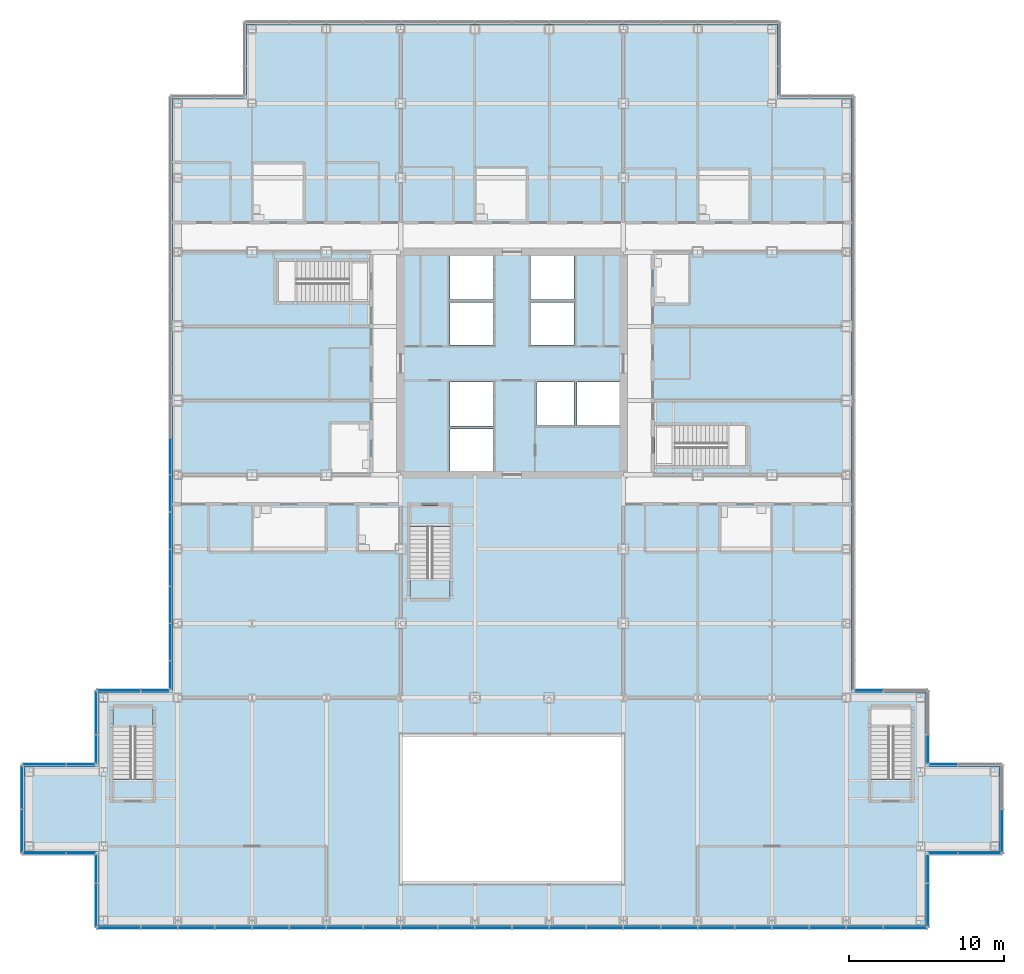
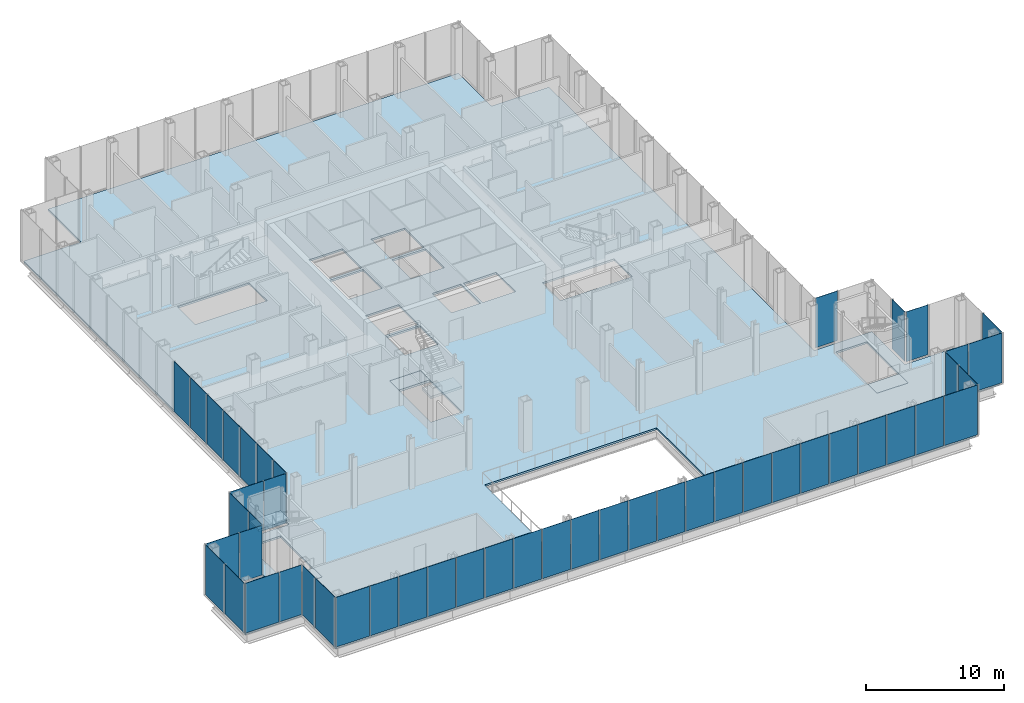
# One storey, part 17 of 25: 49 plates, 6 slabs, 17 elements without a shape of their own.
"""IFC4 building model written with IfcOpenShell, lengths in metres."""

import ifcopenshell
import ifcopenshell.guid

model = None  # the IFC model being written
_history = None  # IfcOwnerHistory: only IFC2X3 demands one
_inside = {}  # id of a spatial element -> (the spatial element, [elements in it])
_under = {}  # id of a project, library or spatial element -> (it, [spatial elements below it])
_declared = {}  # id of a project -> (the project, [libraries it declares])
_typed = {}  # id of a type object -> (the type object, [elements of that type])
_made_of = {}  # id of a material, layer set ... -> (it, [elements and type objects made of it])


def new_model(schema):
    """Start an empty IFC model of exactly this schema.

    Asked for "IFC4X3", IfcOpenShell would pick the latest addendum, in which some entities
    have other attributes; the version numbers below select the first issue.
    IFC2X3 requires an IfcOwnerHistory on every rooted entity: one is made here for all.
    """
    global model, _history
    if schema == "IFC4X3":
        model = ifcopenshell.file(schema_version=(4, 3, 0, 0))
    else:
        model = ifcopenshell.file(schema=schema)
    _inside.clear()
    _under.clear()
    _declared.clear()
    _typed.clear()
    _made_of.clear()
    _history = None
    if model.schema == "IFC2X3":
        org = make("IfcOrganization", Name="unknown")
        user = make(
            "IfcPersonAndOrganization",
            ThePerson=make("IfcPerson", FamilyName="unknown"),
            TheOrganization=org,
        )
        app = make(
            "IfcApplication",
            ApplicationDeveloper=org,
            Version="unknown",
            ApplicationFullName="unknown",
            ApplicationIdentifier="unknown",
        )
        _history = make(
            "IfcOwnerHistory",
            OwningUser=user,
            OwningApplication=app,
            ChangeAction="ADDED",
            CreationDate=0,
        )
    return model


def make(cls, **values):
    """One entity of the class cls with the attributes given. An attribute that is None is left unset."""
    return model.create_entity(
        cls, **{name: value for name, value in values.items() if value is not None}
    )


def rooted(cls, **values):
    """An entity with a GlobalId (a new one), such as an element, a storey or a relation."""
    return make(cls, GlobalId=ifcopenshell.guid.new(), OwnerHistory=_history, **values)


def si_unit(unit_type, name, prefix=None):
    """IfcSIUnit, for example si_unit("LENGTHUNIT", "METRE", prefix="MILLI")."""
    return make("IfcSIUnit", UnitType=unit_type, Prefix=prefix, Name=name)


def assignment(units):
    """IfcUnitAssignment: the units of a project."""
    return None if units is None else make("IfcUnitAssignment", Units=units)


def point(xyz):
    """IfcCartesianPoint."""
    return None if xyz is None else make("IfcCartesianPoint", Coordinates=xyz)


def direction(xyz):
    """IfcDirection."""
    return None if xyz is None else make("IfcDirection", DirectionRatios=xyz)


def frame(location, z_axis=None, x_axis=None):
    """IfcAxis2Placement3D, a coordinate frame: its origin and axes. An axis left out is left unset."""
    return make(
        "IfcAxis2Placement3D",
        Location=point(location),
        Axis=direction(z_axis),
        RefDirection=direction(x_axis),
    )


def frame_2d(location, x_axis=None):
    """IfcAxis2Placement2D, a coordinate frame in the plane: its origin and x axis."""
    return make(
        "IfcAxis2Placement2D", Location=point(location), RefDirection=direction(x_axis)
    )


def origin():
    """The frame at (0, 0, 0) with its axes left unset."""
    return frame((0.0, 0.0, 0.0))


def origin_2d():
    """The frame at (0, 0) in the plane with its x axis left unset."""
    return frame_2d((0.0, 0.0))


def place(relative_to, where):
    """IfcLocalPlacement: puts the frame where relative to a parent placement (None: the world)."""
    return make(
        "IfcLocalPlacement", PlacementRelTo=relative_to, RelativePlacement=where
    )


def context(
    kind, dimensions, precision=None, world=None, true_north=None, identifier=None
):
    """IfcGeometricRepresentationContext, for example the 3D "Model" context."""
    return make(
        "IfcGeometricRepresentationContext",
        ContextIdentifier=identifier,
        ContextType=kind,
        CoordinateSpaceDimension=dimensions,
        Precision=precision,
        WorldCoordinateSystem=world,
        TrueNorth=true_north,
    )


def subcontext(parent, identifier, kind, view, scale=None):
    """IfcGeometricRepresentationSubContext, for example "Body" below "Model"."""
    return make(
        "IfcGeometricRepresentationSubContext",
        ContextIdentifier=identifier,
        ContextType=kind,
        ParentContext=parent,
        TargetScale=scale,
        TargetView=view,
    )


def project(units=None, contexts=None):
    """IfcProject with its units and contexts."""
    return rooted(
        "IfcProject",
        Name="project",
        RepresentationContexts=contexts,
        UnitsInContext=assignment(units),
    )


def spatial(cls, under=None, at=None, **own):
    """A site, building, storey or space (cls), placed at a placement, below another one or the project."""
    s = rooted(cls, ObjectPlacement=at, **own)
    if under is not None:
        _under.setdefault(under.id(), (under, []))[1].append(s)
    return s


def polyline(points):
    """IfcPolyline through the points."""
    return make("IfcPolyline", Points=[point(p) for p in points])


def profile(cls, at=None, kind="AREA", **sizes):
    """A parametric profile (cls). Its sizes go by their IFC names, for example OverallWidth=200.0."""
    return make(cls, ProfileType=kind, Position=at, **sizes)


def rectangle(**sizes):
    """IfcRectangleProfileDef."""
    return profile("IfcRectangleProfileDef", **sizes)


def outline(outer, holes=None, kind="AREA"):
    """IfcArbitraryClosedProfileDef: a profile drawn as a closed curve; with holes, ...WithVoids."""
    if holes is None:
        return make("IfcArbitraryClosedProfileDef", ProfileType=kind, OuterCurve=outer)
    return make(
        "IfcArbitraryProfileDefWithVoids",
        ProfileType=kind,
        OuterCurve=outer,
        InnerCurves=holes,
    )


def extrude(swept, where, along, depth):
    """IfcExtrudedAreaSolid: the profile swept, set in the frame where, extruded along a direction by depth."""
    return make(
        "IfcExtrudedAreaSolid",
        SweptArea=swept,
        Position=where,
        ExtrudedDirection=direction(along),
        Depth=depth,
    )


def shape(context_of_items, identifier, shape_type, items):
    """IfcShapeRepresentation: the items that make up one representation, for example the "Body"."""
    return make(
        "IfcShapeRepresentation",
        ContextOfItems=context_of_items,
        RepresentationIdentifier=identifier,
        RepresentationType=shape_type,
        Items=items,
    )


def material(Name=None, Category=None):
    """IfcMaterial."""
    return make("IfcMaterial", Name=Name, Category=Category)


def layer(
    of_material, thickness, ventilated=None, Name=None, Category=None, Priority=None
):
    """IfcMaterialLayer: one layer of a wall or slab, of a material (None: an air gap)."""
    return make(
        "IfcMaterialLayer",
        Material=of_material,
        LayerThickness=thickness,
        IsVentilated=ventilated,
        Name=Name,
        Category=Category,
        Priority=Priority,
    )


def layer_set(layers, Name=None):
    """IfcMaterialLayerSet."""
    return make("IfcMaterialLayerSet", MaterialLayers=layers, LayerSetName=Name)


def made_of(thing, what):
    """Note that an element or type object is made of a material, layer set ...; save() writes the relation."""
    if what is not None:
        _made_of.setdefault(what.id(), (what, []))[1].append(thing)
    return thing


def type_object(cls, material=None, **own):
    """A type object (cls), such as IfcWallType, which elements share."""
    return made_of(rooted(cls, **own), material)


def element(
    cls,
    number,
    at=None,
    inside=None,
    cuts=None,
    type_object=None,
    material=None,
    context=None,
    identifier="Body",
    shape_type=None,
    held_by="IfcProductDefinitionShape",
    body=None,
    shapes=None,
    **own,
):
    """One element of the class cls, such as IfcWall. Its Tag is "e" and its number.

    at: its placement. inside: the storey or other place that contains it. cuts: it is an
    opening in that element (IfcRelVoidsElement). A single representation is given by context,
    identifier, shape_type and body (its items); several are given by shapes. held_by: the class
    of the entity that holds the representations. save() writes the other relations.
    """
    e = rooted(cls, Tag="e%d" % number, ObjectPlacement=at, **own)
    if body is not None:
        shapes = [shape(context, identifier, shape_type, body)]
    if shapes is not None:
        e.Representation = make(held_by, Representations=shapes)
    if inside is not None:
        _inside.setdefault(inside.id(), (inside, []))[1].append(e)
    if cuts is not None:
        rooted(
            "IfcRelVoidsElement", RelatingBuildingElement=cuts, RelatedOpeningElement=e
        )
    if type_object is not None:
        _typed.setdefault(type_object.id(), (type_object, []))[1].append(e)
    return made_of(e, material)


def aggregate(whole, parts):
    """IfcRelAggregates: a whole, such as a stair, and the parts it consists of."""
    return rooted("IfcRelAggregates", RelatingObject=whole, RelatedObjects=parts)


def save(model, path):
    """Write the relations noted so far, then the file.

    IfcRelAggregates (storeys below a building ...), IfcRelContainedInSpatialStructure (elements
    in a storey), IfcRelDefinesByType, IfcRelAssociatesMaterial and IfcRelDeclares: one each for
    every whole, place, type object, material and project.
    """
    for whole, parts in _under.values():
        aggregate(whole, parts)
    for where, things in _inside.values():
        rooted(
            "IfcRelContainedInSpatialStructure",
            RelatedElements=things,
            RelatingStructure=where,
        )
    for kind, things in _typed.values():
        rooted("IfcRelDefinesByType", RelatedObjects=things, RelatingType=kind)
    for what, things in _made_of.values():
        rooted("IfcRelAssociatesMaterial", RelatedObjects=things, RelatingMaterial=what)
    for by, libraries in _declared.values():
        rooted("IfcRelDeclares", RelatingContext=by, RelatedDefinitions=libraries)
    model.write(path)


model = new_model("IFC4")

# Units and contexts
model_context = context("Model", 3, precision=1e-05, world=origin(), true_north=direction((0.0, 1.0)))
body_context = subcontext(model_context, "Body", "Model", "MODEL_VIEW")
ifc_project = project(units=[si_unit("LENGTHUNIT", "METRE"), si_unit("AREAUNIT", "SQUARE_METRE"), si_unit("VOLUMEUNIT", "CUBIC_METRE"), si_unit("PLANEANGLEUNIT", "RADIAN"), si_unit("MASSUNIT", "GRAM", prefix="KILO")], contexts=[model_context])

# Site, building, storey
site_placement = place(None, origin())
site = spatial("IfcSite", under=ifc_project, at=site_placement, CompositionType="ELEMENT")
building_placement = place(site_placement, origin())
building = spatial("IfcBuilding", under=site, at=building_placement, Name="Kvirike Care Tower", CompositionType="ELEMENT")
storey_placement = place(building_placement, frame((0.0, 0.0, 13.5)))
storey = spatial("IfcBuildingStorey", under=building, at=storey_placement, Name="L03", CompositionType="ELEMENT", Elevation=13.5)

# Slab
ifc_material_1 = material(Name="Concrete C35/45", Category="concrete")
ifc_layer_1 = layer(ifc_material_1, 0.169921875)
ifc_layer_set_1 = layer_set([ifc_layer_1], Name="FLOOR SLAB 170")
slab_type_1 = type_object("IfcSlabType", Name="FLOOR SLAB 170", PredefinedType="FLOOR", material=ifc_layer_set_1)
slab_1_placement = place(storey_placement, frame((0.0, 0.0, -0.169921875)))
element("IfcSlab", 1, at=slab_1_placement, inside=storey, type_object=slab_type_1, Name="Floor slab L03", PredefinedType="FLOOR", context=body_context, shape_type="SweptSolid", body=[
    extrude(outline(polyline([(-5.14990234375, -0.35009765625), (48.35009765625, -0.35009765625), (48.35009765625, 4.449951171875), (53.14990234375, 4.449951171875), (53.14990234375, 9.949951171875), (48.35009765625, 9.949951171875), (48.35009765625, 14.75), (43.550048828125, 14.75), (43.550048828125, 53.14990234375), (38.75, 53.14990234375), (38.75, 57.949951171875), (4.449951171875, 57.949951171875), (4.449951171875, 53.14990234375), (-0.35009765625, 53.14990234375), (-0.35009765625, 14.75), (-5.14990234375, 14.75), (-5.14990234375, 9.949951171875), (-9.949951171875, 9.949951171875), (-9.949951171875, 4.449951171875), (-5.14990234375, 4.449951171875), (-5.14990234375, -0.35009765625)]), holes=[polyline([(17.60009765625, 29.050048828125), (17.60009765625, 31.75), (20.39990234375, 31.75), (20.39990234375, 29.050048828125), (17.60009765625, 29.050048828125)]), polyline([(17.60009765625, 31.949951171875), (17.60009765625, 34.800048828125), (20.39990234375, 34.800048828125), (20.39990234375, 31.949951171875), (17.60009765625, 31.949951171875)]), polyline([(17.60009765625, 37.199951171875), (17.60009765625, 39.949951171875), (20.39990234375, 39.949951171875), (20.39990234375, 37.199951171875), (17.60009765625, 37.199951171875)]), polyline([(17.60009765625, 40.14990234375), (17.60009765625, 42.949951171875), (20.39990234375, 42.949951171875), (20.39990234375, 40.14990234375), (17.60009765625, 40.14990234375)]), polyline([(22.800048828125, 37.199951171875), (22.800048828125, 39.949951171875), (25.60009765625, 39.949951171875), (25.60009765625, 37.199951171875), (22.800048828125, 37.199951171875)]), polyline([(22.800048828125, 40.14990234375), (22.800048828125, 42.949951171875), (25.60009765625, 42.949951171875), (25.60009765625, 40.14990234375), (22.800048828125, 40.14990234375)]), polyline([(23.199951171875, 32.0), (23.199951171875, 34.800048828125), (25.60009765625, 34.800048828125), (25.60009765625, 32.0), (23.199951171875, 32.0)]), polyline([(25.800048828125, 32.0), (25.800048828125, 34.800048828125), (28.550048828125, 34.800048828125), (28.550048828125, 32.0), (25.800048828125, 32.0)]), polyline([(14.39990234375, 2.39990234375), (14.39990234375, 12.0), (28.800048828125, 12.0), (28.800048828125, 2.39990234375), (14.39990234375, 2.39990234375)]), polyline([(12.39990234375, 42.60009765625), (12.39990234375, 40.0), (6.39990234375, 40.0), (6.39990234375, 42.60009765625), (12.39990234375, 42.60009765625)]), polyline([(30.800048828125, 29.39990234375), (30.800048828125, 32.0), (36.800048828125, 32.0), (36.800048828125, 29.39990234375), (30.800048828125, 29.39990234375)]), polyline([(-1.60009765625, 13.800048828125), (-1.60009765625, 7.800048828125), (-4.199951171875, 7.800048828125), (-4.199951171875, 13.800048828125), (-1.60009765625, 13.800048828125)]), polyline([(47.39990234375, 13.800048828125), (47.39990234375, 7.800048828125), (44.800048828125, 7.800048828125), (44.800048828125, 13.800048828125), (47.39990234375, 13.800048828125)]), polyline([(15.0, 26.800048828125), (17.60009765625, 26.800048828125), (17.60009765625, 20.800048828125), (15.0, 20.800048828125), (15.0, 26.800048828125)])]), origin(), (0.0, 0.0, 1.0), 0.169921875),
])

# Curtain wall, plates
ifc_material_2 = material(Name="Anodised aluminium stick system", Category="aluminium")
curtain_wall_type = type_object("IfcCurtainWallType", Name="CW-P PODIUM STICK CURTAIN WALL", PredefinedType="NOTDEFINED", material=ifc_material_2)
curtain_wall_1_placement = place(storey_placement, origin())
curtain_wall_1 = element("IfcCurtainWall", 2, at=curtain_wall_1_placement, inside=storey, type_object=curtain_wall_type, Name="Curtain wall L03 face 1", PredefinedType="NOTDEFINED")
ifc_material_3 = material(Name="Tinted double glazed unit", Category="glass")
ifc_layer_2 = layer(ifc_material_3, 0.031982421875)
ifc_layer_set_2 = layer_set([ifc_layer_2], Name="PODIUM VISION PANEL 32")
plate_type = type_object("IfcPlateType", Name="PODIUM VISION PANEL 32", PredefinedType="CURTAIN_PANEL", material=ifc_layer_set_2)
plate_1_placement = place(storey_placement, frame((-3.8212890625, -0.47509765625, 0.10009765625), z_axis=(0.0, 0.0, 1.0), x_axis=(1.0, 0.0, 0.0)))
plate_1 = element("IfcPlate", 3, at=plate_1_placement, type_object=plate_type, Name="CW-P panel L03 face 1.1", PredefinedType="CURTAIN_PANEL", context=body_context, shape_type="SweptSolid", body=[
    extrude(rectangle(XDim=2.777587890625, YDim=0.031982421875, at=origin_2d()), origin(), (0.0, 0.0, 1.0), 4.39990234375),
])
plate_2_placement = place(storey_placement, frame((-1.199951171875, -0.47509765625, 0.10009765625), z_axis=(0.0, 0.0, 1.0), x_axis=(1.0, 0.0, 0.0)))
plate_2 = element("IfcPlate", 4, at=plate_2_placement, type_object=plate_type, Name="CW-P panel L03 face 1.2", PredefinedType="CURTAIN_PANEL", context=body_context, shape_type="SweptSolid", body=[
    extrude(rectangle(XDim=2.3349609375, YDim=0.031982421875, at=origin_2d()), origin(), (0.0, 0.0, 1.0), 4.39990234375),
])
plate_3_placement = place(storey_placement, frame((1.199951171875, -0.47509765625, 0.10009765625), z_axis=(0.0, 0.0, 1.0), x_axis=(1.0, 0.0, 0.0)))
plate_3 = element("IfcPlate", 5, at=plate_3_placement, type_object=plate_type, Name="CW-P panel L03 face 1.3", PredefinedType="CURTAIN_PANEL", context=body_context, shape_type="SweptSolid", body=[
    extrude(rectangle(XDim=2.3349609375, YDim=0.031982421875, at=origin_2d()), origin(), (0.0, 0.0, 1.0), 4.39990234375),
])
plate_4_placement = place(storey_placement, frame((3.60009765625, -0.47509765625, 0.10009765625), z_axis=(0.0, 0.0, 1.0), x_axis=(1.0, 0.0, 0.0)))
plate_4 = element("IfcPlate", 6, at=plate_4_placement, type_object=plate_type, Name="CW-P panel L03 face 1.4", PredefinedType="CURTAIN_PANEL", context=body_context, shape_type="SweptSolid", body=[
    extrude(rectangle(XDim=2.3349609375, YDim=0.031982421875, at=origin_2d()), origin(), (0.0, 0.0, 1.0), 4.39990234375),
])
plate_5_placement = place(storey_placement, frame((6.0, -0.47509765625, 0.10009765625), z_axis=(0.0, 0.0, 1.0), x_axis=(1.0, 0.0, 0.0)))
plate_5 = element("IfcPlate", 7, at=plate_5_placement, type_object=plate_type, Name="CW-P panel L03 face 1.5", PredefinedType="CURTAIN_PANEL", context=body_context, shape_type="SweptSolid", body=[
    extrude(rectangle(XDim=2.3349609375, YDim=0.031982421875, at=origin_2d()), origin(), (0.0, 0.0, 1.0), 4.39990234375),
])
plate_6_placement = place(storey_placement, frame((8.39990234375, -0.47509765625, 0.10009765625), z_axis=(0.0, 0.0, 1.0), x_axis=(1.0, 0.0, 0.0)))
plate_6 = element("IfcPlate", 8, at=plate_6_placement, type_object=plate_type, Name="CW-P panel L03 face 1.6", PredefinedType="CURTAIN_PANEL", context=body_context, shape_type="SweptSolid", body=[
    extrude(rectangle(XDim=2.3349609375, YDim=0.031982421875, at=origin_2d()), origin(), (0.0, 0.0, 1.0), 4.39990234375),
])
plate_7_placement = place(storey_placement, frame((10.800048828125, -0.47509765625, 0.10009765625), z_axis=(0.0, 0.0, 1.0), x_axis=(1.0, 0.0, 0.0)))
plate_7 = element("IfcPlate", 9, at=plate_7_placement, type_object=plate_type, Name="CW-P panel L03 face 1.7", PredefinedType="CURTAIN_PANEL", context=body_context, shape_type="SweptSolid", body=[
    extrude(rectangle(XDim=2.3349609375, YDim=0.031982421875, at=origin_2d()), origin(), (0.0, 0.0, 1.0), 4.39990234375),
])
plate_8_placement = place(storey_placement, frame((13.199951171875, -0.47509765625, 0.10009765625), z_axis=(0.0, 0.0, 1.0), x_axis=(1.0, 0.0, 0.0)))
plate_8 = element("IfcPlate", 10, at=plate_8_placement, type_object=plate_type, Name="CW-P panel L03 face 1.8", PredefinedType="CURTAIN_PANEL", context=body_context, shape_type="SweptSolid", body=[
    extrude(rectangle(XDim=2.3349609375, YDim=0.031982421875, at=origin_2d()), origin(), (0.0, 0.0, 1.0), 4.39990234375),
])
plate_9_placement = place(storey_placement, frame((15.60009765625, -0.47509765625, 0.10009765625), z_axis=(0.0, 0.0, 1.0), x_axis=(1.0, 0.0, 0.0)))
plate_9 = element("IfcPlate", 11, at=plate_9_placement, type_object=plate_type, Name="CW-P panel L03 face 1.9", PredefinedType="CURTAIN_PANEL", context=body_context, shape_type="SweptSolid", body=[
    extrude(rectangle(XDim=2.3349609375, YDim=0.031982421875, at=origin_2d()), origin(), (0.0, 0.0, 1.0), 4.39990234375),
])
plate_10_placement = place(storey_placement, frame((18.0, -0.47509765625, 0.10009765625), z_axis=(0.0, 0.0, 1.0), x_axis=(1.0, 0.0, 0.0)))
plate_10 = element("IfcPlate", 12, at=plate_10_placement, type_object=plate_type, Name="CW-P panel L03 face 1.10", PredefinedType="CURTAIN_PANEL", context=body_context, shape_type="SweptSolid", body=[
    extrude(rectangle(XDim=2.3349609375, YDim=0.031982421875, at=origin_2d()), origin(), (0.0, 0.0, 1.0), 4.39990234375),
])
plate_11_placement = place(storey_placement, frame((20.39990234375, -0.47509765625, 0.10009765625), z_axis=(0.0, 0.0, 1.0), x_axis=(1.0, 0.0, 0.0)))
plate_11 = element("IfcPlate", 13, at=plate_11_placement, type_object=plate_type, Name="CW-P panel L03 face 1.11", PredefinedType="CURTAIN_PANEL", context=body_context, shape_type="SweptSolid", body=[
    extrude(rectangle(XDim=2.3349609375, YDim=0.031982421875, at=origin_2d()), origin(), (0.0, 0.0, 1.0), 4.39990234375),
])
plate_12_placement = place(storey_placement, frame((22.800048828125, -0.47509765625, 0.10009765625), z_axis=(0.0, 0.0, 1.0), x_axis=(1.0, 0.0, 0.0)))
plate_12 = element("IfcPlate", 14, at=plate_12_placement, type_object=plate_type, Name="CW-P panel L03 face 1.12", PredefinedType="CURTAIN_PANEL", context=body_context, shape_type="SweptSolid", body=[
    extrude(rectangle(XDim=2.3349609375, YDim=0.031982421875, at=origin_2d()), origin(), (0.0, 0.0, 1.0), 4.39990234375),
])
plate_13_placement = place(storey_placement, frame((25.199951171875, -0.47509765625, 0.10009765625), z_axis=(0.0, 0.0, 1.0), x_axis=(1.0, 0.0, 0.0)))
plate_13 = element("IfcPlate", 15, at=plate_13_placement, type_object=plate_type, Name="CW-P panel L03 face 1.13", PredefinedType="CURTAIN_PANEL", context=body_context, shape_type="SweptSolid", body=[
    extrude(rectangle(XDim=2.3349609375, YDim=0.031982421875, at=origin_2d()), origin(), (0.0, 0.0, 1.0), 4.39990234375),
])
plate_14_placement = place(storey_placement, frame((27.60009765625, -0.47509765625, 0.10009765625), z_axis=(0.0, 0.0, 1.0), x_axis=(1.0, 0.0, 0.0)))
plate_14 = element("IfcPlate", 16, at=plate_14_placement, type_object=plate_type, Name="CW-P panel L03 face 1.14", PredefinedType="CURTAIN_PANEL", context=body_context, shape_type="SweptSolid", body=[
    extrude(rectangle(XDim=2.3349609375, YDim=0.031982421875, at=origin_2d()), origin(), (0.0, 0.0, 1.0), 4.39990234375),
])
plate_15_placement = place(storey_placement, frame((30.0, -0.47509765625, 0.10009765625), z_axis=(0.0, 0.0, 1.0), x_axis=(1.0, 0.0, 0.0)))
plate_15 = element("IfcPlate", 17, at=plate_15_placement, type_object=plate_type, Name="CW-P panel L03 face 1.15", PredefinedType="CURTAIN_PANEL", context=body_context, shape_type="SweptSolid", body=[
    extrude(rectangle(XDim=2.3349609375, YDim=0.031982421875, at=origin_2d()), origin(), (0.0, 0.0, 1.0), 4.39990234375),
])
plate_16_placement = place(storey_placement, frame((32.39990234375, -0.47509765625, 0.10009765625), z_axis=(0.0, 0.0, 1.0), x_axis=(1.0, 0.0, 0.0)))
plate_16 = element("IfcPlate", 18, at=plate_16_placement, type_object=plate_type, Name="CW-P panel L03 face 1.16", PredefinedType="CURTAIN_PANEL", context=body_context, shape_type="SweptSolid", body=[
    extrude(rectangle(XDim=2.3349609375, YDim=0.031982421875, at=origin_2d()), origin(), (0.0, 0.0, 1.0), 4.39990234375),
])
plate_17_placement = place(storey_placement, frame((34.800048828125, -0.47509765625, 0.10009765625), z_axis=(0.0, 0.0, 1.0), x_axis=(1.0, 0.0, 0.0)))
plate_17 = element("IfcPlate", 19, at=plate_17_placement, type_object=plate_type, Name="CW-P panel L03 face 1.17", PredefinedType="CURTAIN_PANEL", context=body_context, shape_type="SweptSolid", body=[
    extrude(rectangle(XDim=2.3349609375, YDim=0.031982421875, at=origin_2d()), origin(), (0.0, 0.0, 1.0), 4.39990234375),
])
plate_18_placement = place(storey_placement, frame((37.199951171875, -0.47509765625, 0.10009765625), z_axis=(0.0, 0.0, 1.0), x_axis=(1.0, 0.0, 0.0)))
plate_18 = element("IfcPlate", 20, at=plate_18_placement, type_object=plate_type, Name="CW-P panel L03 face 1.18", PredefinedType="CURTAIN_PANEL", context=body_context, shape_type="SweptSolid", body=[
    extrude(rectangle(XDim=2.3349609375, YDim=0.031982421875, at=origin_2d()), origin(), (0.0, 0.0, 1.0), 4.39990234375),
])
plate_19_placement = place(storey_placement, frame((39.60009765625, -0.47509765625, 0.10009765625), z_axis=(0.0, 0.0, 1.0), x_axis=(1.0, 0.0, 0.0)))
plate_19 = element("IfcPlate", 21, at=plate_19_placement, type_object=plate_type, Name="CW-P panel L03 face 1.19", PredefinedType="CURTAIN_PANEL", context=body_context, shape_type="SweptSolid", body=[
    extrude(rectangle(XDim=2.3349609375, YDim=0.031982421875, at=origin_2d()), origin(), (0.0, 0.0, 1.0), 4.39990234375),
])
plate_20_placement = place(storey_placement, frame((42.0, -0.47509765625, 0.10009765625), z_axis=(0.0, 0.0, 1.0), x_axis=(1.0, 0.0, 0.0)))
plate_20 = element("IfcPlate", 22, at=plate_20_placement, type_object=plate_type, Name="CW-P panel L03 face 1.20", PredefinedType="CURTAIN_PANEL", context=body_context, shape_type="SweptSolid", body=[
    extrude(rectangle(XDim=2.3349609375, YDim=0.031982421875, at=origin_2d()), origin(), (0.0, 0.0, 1.0), 4.39990234375),
])
plate_21_placement = place(storey_placement, frame((44.39990234375, -0.47509765625, 0.10009765625), z_axis=(0.0, 0.0, 1.0), x_axis=(1.0, 0.0, 0.0)))
plate_21 = element("IfcPlate", 23, at=plate_21_placement, type_object=plate_type, Name="CW-P panel L03 face 1.21", PredefinedType="CURTAIN_PANEL", context=body_context, shape_type="SweptSolid", body=[
    extrude(rectangle(XDim=2.3349609375, YDim=0.031982421875, at=origin_2d()), origin(), (0.0, 0.0, 1.0), 4.39990234375),
])
plate_22_placement = place(storey_placement, frame((47.021240234375, -0.47509765625, 0.10009765625), z_axis=(0.0, 0.0, 1.0), x_axis=(1.0, 0.0, 0.0)))
plate_22 = element("IfcPlate", 24, at=plate_22_placement, type_object=plate_type, Name="CW-P panel L03 face 1.22", PredefinedType="CURTAIN_PANEL", context=body_context, shape_type="SweptSolid", body=[
    extrude(rectangle(XDim=2.777587890625, YDim=0.031982421875, at=origin_2d()), origin(), (0.0, 0.0, 1.0), 4.39990234375),
])
aggregate(curtain_wall_1, [plate_1, plate_2, plate_3, plate_4, plate_5, plate_6, plate_7, plate_8, plate_9, plate_10, plate_11, plate_12, plate_13, plate_14, plate_15, plate_16, plate_17, plate_18, plate_19, plate_20, plate_21, plate_22])

curtain_wall_2_placement = place(storey_placement, origin())
curtain_wall_2 = element("IfcCurtainWall", 25, at=curtain_wall_2_placement, inside=storey, type_object=curtain_wall_type, Name="Curtain wall L03 face 2", PredefinedType="NOTDEFINED")
plate_23_placement = place(storey_placement, frame((48.47509765625, 0.978759765625, 0.10009765625), z_axis=(0.0, 0.0, 1.0), x_axis=(0.0, 1.0, 0.0)))
plate_23 = element("IfcPlate", 26, at=plate_23_placement, type_object=plate_type, Name="CW-P panel L03 face 2.1", PredefinedType="CURTAIN_PANEL", context=body_context, shape_type="SweptSolid", body=[
    extrude(rectangle(XDim=2.777587890625, YDim=0.031982421875, at=origin_2d()), origin(), (0.0, 0.0, 1.0), 4.39990234375),
])
plate_24_placement = place(storey_placement, frame((48.47509765625, 3.34619140625, 0.10009765625), z_axis=(0.0, 0.0, 1.0), x_axis=(0.0, 1.0, 0.0)))
plate_24 = element("IfcPlate", 27, at=plate_24_placement, type_object=plate_type, Name="CW-P panel L03 face 2.2", PredefinedType="CURTAIN_PANEL", context=body_context, shape_type="SweptSolid", body=[
    extrude(rectangle(XDim=1.827392578125, YDim=0.031982421875, at=origin_2d()), origin(), (0.0, 0.0, 1.0), 4.39990234375),
])
aggregate(curtain_wall_2, [plate_23, plate_24])

curtain_wall_3_placement = place(storey_placement, origin())
curtain_wall_3 = element("IfcCurtainWall", 28, at=curtain_wall_3_placement, inside=storey, type_object=curtain_wall_type, Name="Curtain wall L03 face 3", PredefinedType="NOTDEFINED")
plate_25_placement = place(storey_placement, frame((49.453857421875, 4.324951171875, 0.10009765625), z_axis=(0.0, 0.0, 1.0), x_axis=(1.0, 0.0, 0.0)))
plate_25 = element("IfcPlate", 29, at=plate_25_placement, type_object=plate_type, Name="CW-P panel L03 face 3.1", PredefinedType="CURTAIN_PANEL", context=body_context, shape_type="SweptSolid", body=[
    extrude(rectangle(XDim=1.827392578125, YDim=0.031982421875, at=origin_2d()), origin(), (0.0, 0.0, 1.0), 4.39990234375),
])
plate_26_placement = place(storey_placement, frame((51.8212890625, 4.324951171875, 0.10009765625), z_axis=(0.0, 0.0, 1.0), x_axis=(1.0, 0.0, 0.0)))
plate_26 = element("IfcPlate", 30, at=plate_26_placement, type_object=plate_type, Name="CW-P panel L03 face 3.2", PredefinedType="CURTAIN_PANEL", context=body_context, shape_type="SweptSolid", body=[
    extrude(rectangle(XDim=2.777587890625, YDim=0.031982421875, at=origin_2d()), origin(), (0.0, 0.0, 1.0), 4.39990234375),
])
aggregate(curtain_wall_3, [plate_25, plate_26])

# Curtain wall, plate
curtain_wall_4_placement = place(storey_placement, origin())
curtain_wall_4 = element("IfcCurtainWall", 31, at=curtain_wall_4_placement, inside=storey, type_object=curtain_wall_type, Name="Curtain wall L03 face 4", PredefinedType="NOTDEFINED")
plate_27_placement = place(storey_placement, frame((53.27490234375, 5.77880859375, 0.10009765625), z_axis=(0.0, 0.0, 1.0), x_axis=(0.0, 1.0, 0.0)))
plate_27 = element("IfcPlate", 32, at=plate_27_placement, type_object=plate_type, Name="CW-P panel L03 face 4.1", PredefinedType="CURTAIN_PANEL", context=body_context, shape_type="SweptSolid", body=[
    extrude(rectangle(XDim=2.777587890625, YDim=0.031982421875, at=origin_2d()), origin(), (0.0, 0.0, 1.0), 4.39990234375),
])
aggregate(curtain_wall_4, [plate_27])

curtain_wall_5_placement = place(storey_placement, origin())
curtain_wall_5 = element("IfcCurtainWall", 33, at=curtain_wall_5_placement, inside=storey, type_object=curtain_wall_type, Name="Curtain wall L03 face 5", PredefinedType="NOTDEFINED")
plate_28_placement = place(storey_placement, frame((49.453857421875, 10.074951171875, 0.10009765625), z_axis=(0.0, 0.0, 1.0), x_axis=(-1.0, 0.0, 0.0)))
plate_28 = element("IfcPlate", 34, at=plate_28_placement, type_object=plate_type, Name="CW-P panel L03 face 5.2", PredefinedType="CURTAIN_PANEL", context=body_context, shape_type="SweptSolid", body=[
    extrude(rectangle(XDim=1.827392578125, YDim=0.031982421875, at=origin_2d()), origin(), (0.0, 0.0, 1.0), 4.39990234375),
])
aggregate(curtain_wall_5, [plate_28])

curtain_wall_6_placement = place(storey_placement, origin())
curtain_wall_6 = element("IfcCurtainWall", 35, at=curtain_wall_6_placement, inside=storey, type_object=curtain_wall_type, Name="Curtain wall L03 face 6", PredefinedType="NOTDEFINED")
plate_29_placement = place(storey_placement, frame((48.47509765625, 11.0537109375, 0.10009765625), z_axis=(0.0, 0.0, 1.0), x_axis=(0.0, 1.0, 0.0)))
plate_29 = element("IfcPlate", 36, at=plate_29_placement, type_object=plate_type, Name="CW-P panel L03 face 6.1", PredefinedType="CURTAIN_PANEL", context=body_context, shape_type="SweptSolid", body=[
    extrude(rectangle(XDim=1.827392578125, YDim=0.031982421875, at=origin_2d()), origin(), (0.0, 0.0, 1.0), 4.39990234375),
])
aggregate(curtain_wall_6, [plate_29])

curtain_wall_7_placement = place(storey_placement, origin())
curtain_wall_7 = element("IfcCurtainWall", 37, at=curtain_wall_7_placement, inside=storey, type_object=curtain_wall_type, Name="Curtain wall L03 face 7", PredefinedType="NOTDEFINED")
plate_30_placement = place(storey_placement, frame((44.65380859375, 14.875, 0.10009765625), z_axis=(0.0, 0.0, 1.0), x_axis=(-1.0, 0.0, 0.0)))
plate_30 = element("IfcPlate", 38, at=plate_30_placement, type_object=plate_type, Name="CW-P panel L03 face 7.2", PredefinedType="CURTAIN_PANEL", context=body_context, shape_type="SweptSolid", body=[
    extrude(rectangle(XDim=1.827392578125, YDim=0.031982421875, at=origin_2d()), origin(), (0.0, 0.0, 1.0), 4.39990234375),
])
aggregate(curtain_wall_7, [plate_30])

# Curtain wall, plates
curtain_wall_8_placement = place(storey_placement, origin())
curtain_wall_8 = element("IfcCurtainWall", 39, at=curtain_wall_8_placement, inside=storey, type_object=curtain_wall_type, Name="Curtain wall L03 face 14", PredefinedType="NOTDEFINED")
plate_31_placement = place(storey_placement, frame((-0.47509765625, 30.0, 0.10009765625), z_axis=(0.0, 0.0, 1.0), x_axis=(0.0, -1.0, 0.0)))
plate_31 = element("IfcPlate", 40, at=plate_31_placement, type_object=plate_type, Name="CW-P panel L03 face 14.10", PredefinedType="CURTAIN_PANEL", context=body_context, shape_type="SweptSolid", body=[
    extrude(rectangle(XDim=2.3349609375, YDim=0.031982421875, at=origin_2d()), origin(), (0.0, 0.0, 1.0), 4.39990234375),
])
plate_32_placement = place(storey_placement, frame((-0.47509765625, 27.60009765625, 0.10009765625), z_axis=(0.0, 0.0, 1.0), x_axis=(0.0, -1.0, 0.0)))
plate_32 = element("IfcPlate", 41, at=plate_32_placement, type_object=plate_type, Name="CW-P panel L03 face 14.11", PredefinedType="CURTAIN_PANEL", context=body_context, shape_type="SweptSolid", body=[
    extrude(rectangle(XDim=2.3349609375, YDim=0.031982421875, at=origin_2d()), origin(), (0.0, 0.0, 1.0), 4.39990234375),
])
plate_33_placement = place(storey_placement, frame((-0.47509765625, 25.199951171875, 0.10009765625), z_axis=(0.0, 0.0, 1.0), x_axis=(0.0, -1.0, 0.0)))
plate_33 = element("IfcPlate", 42, at=plate_33_placement, type_object=plate_type, Name="CW-P panel L03 face 14.12", PredefinedType="CURTAIN_PANEL", context=body_context, shape_type="SweptSolid", body=[
    extrude(rectangle(XDim=2.3349609375, YDim=0.031982421875, at=origin_2d()), origin(), (0.0, 0.0, 1.0), 4.39990234375),
])
plate_34_placement = place(storey_placement, frame((-0.47509765625, 22.800048828125, 0.10009765625), z_axis=(0.0, 0.0, 1.0), x_axis=(0.0, -1.0, 0.0)))
plate_34 = element("IfcPlate", 43, at=plate_34_placement, type_object=plate_type, Name="CW-P panel L03 face 14.13", PredefinedType="CURTAIN_PANEL", context=body_context, shape_type="SweptSolid", body=[
    extrude(rectangle(XDim=2.3349609375, YDim=0.031982421875, at=origin_2d()), origin(), (0.0, 0.0, 1.0), 4.39990234375),
])
plate_35_placement = place(storey_placement, frame((-0.47509765625, 20.39990234375, 0.10009765625), z_axis=(0.0, 0.0, 1.0), x_axis=(0.0, -1.0, 0.0)))
plate_35 = element("IfcPlate", 44, at=plate_35_placement, type_object=plate_type, Name="CW-P panel L03 face 14.14", PredefinedType="CURTAIN_PANEL", context=body_context, shape_type="SweptSolid", body=[
    extrude(rectangle(XDim=2.3349609375, YDim=0.031982421875, at=origin_2d()), origin(), (0.0, 0.0, 1.0), 4.39990234375),
])
plate_36_placement = place(storey_placement, frame((-0.47509765625, 18.0, 0.10009765625), z_axis=(0.0, 0.0, 1.0), x_axis=(0.0, -1.0, 0.0)))
plate_36 = element("IfcPlate", 45, at=plate_36_placement, type_object=plate_type, Name="CW-P panel L03 face 14.15", PredefinedType="CURTAIN_PANEL", context=body_context, shape_type="SweptSolid", body=[
    extrude(rectangle(XDim=2.3349609375, YDim=0.031982421875, at=origin_2d()), origin(), (0.0, 0.0, 1.0), 4.39990234375),
])
plate_37_placement = place(storey_placement, frame((-0.47509765625, 15.853759765625, 0.10009765625), z_axis=(0.0, 0.0, 1.0), x_axis=(0.0, -1.0, 0.0)))
plate_37 = element("IfcPlate", 46, at=plate_37_placement, type_object=plate_type, Name="CW-P panel L03 face 14.16", PredefinedType="CURTAIN_PANEL", context=body_context, shape_type="SweptSolid", body=[
    extrude(rectangle(XDim=1.827392578125, YDim=0.031982421875, at=origin_2d()), origin(), (0.0, 0.0, 1.0), 4.39990234375),
])
aggregate(curtain_wall_8, [plate_31, plate_32, plate_33, plate_34, plate_35, plate_36, plate_37])

curtain_wall_9_placement = place(storey_placement, origin())
curtain_wall_9 = element("IfcCurtainWall", 47, at=curtain_wall_9_placement, inside=storey, type_object=curtain_wall_type, Name="Curtain wall L03 face 15", PredefinedType="NOTDEFINED")
plate_38_placement = place(storey_placement, frame((-1.453857421875, 14.875, 0.10009765625), z_axis=(0.0, 0.0, 1.0), x_axis=(-1.0, 0.0, 0.0)))
plate_38 = element("IfcPlate", 48, at=plate_38_placement, type_object=plate_type, Name="CW-P panel L03 face 15.1", PredefinedType="CURTAIN_PANEL", context=body_context, shape_type="SweptSolid", body=[
    extrude(rectangle(XDim=1.827392578125, YDim=0.031982421875, at=origin_2d()), origin(), (0.0, 0.0, 1.0), 4.39990234375),
])
plate_39_placement = place(storey_placement, frame((-3.8212890625, 14.875, 0.10009765625), z_axis=(0.0, 0.0, 1.0), x_axis=(-1.0, 0.0, 0.0)))
plate_39 = element("IfcPlate", 49, at=plate_39_placement, type_object=plate_type, Name="CW-P panel L03 face 15.2", PredefinedType="CURTAIN_PANEL", context=body_context, shape_type="SweptSolid", body=[
    extrude(rectangle(XDim=2.777587890625, YDim=0.031982421875, at=origin_2d()), origin(), (0.0, 0.0, 1.0), 4.39990234375),
])
aggregate(curtain_wall_9, [plate_38, plate_39])

curtain_wall_10_placement = place(storey_placement, origin())
curtain_wall_10 = element("IfcCurtainWall", 50, at=curtain_wall_10_placement, inside=storey, type_object=curtain_wall_type, Name="Curtain wall L03 face 16", PredefinedType="NOTDEFINED")
plate_40_placement = place(storey_placement, frame((-5.27490234375, 13.421142578125, 0.10009765625), z_axis=(0.0, 0.0, 1.0), x_axis=(0.0, -1.0, 0.0)))
plate_40 = element("IfcPlate", 51, at=plate_40_placement, type_object=plate_type, Name="CW-P panel L03 face 16.1", PredefinedType="CURTAIN_PANEL", context=body_context, shape_type="SweptSolid", body=[
    extrude(rectangle(XDim=2.777587890625, YDim=0.031982421875, at=origin_2d()), origin(), (0.0, 0.0, 1.0), 4.39990234375),
])
plate_41_placement = place(storey_placement, frame((-5.27490234375, 11.0537109375, 0.10009765625), z_axis=(0.0, 0.0, 1.0), x_axis=(0.0, -1.0, 0.0)))
plate_41 = element("IfcPlate", 52, at=plate_41_placement, type_object=plate_type, Name="CW-P panel L03 face 16.2", PredefinedType="CURTAIN_PANEL", context=body_context, shape_type="SweptSolid", body=[
    extrude(rectangle(XDim=1.827392578125, YDim=0.031982421875, at=origin_2d()), origin(), (0.0, 0.0, 1.0), 4.39990234375),
])
aggregate(curtain_wall_10, [plate_40, plate_41])

curtain_wall_11_placement = place(storey_placement, origin())
curtain_wall_11 = element("IfcCurtainWall", 53, at=curtain_wall_11_placement, inside=storey, type_object=curtain_wall_type, Name="Curtain wall L03 face 17", PredefinedType="NOTDEFINED")
plate_42_placement = place(storey_placement, frame((-6.253662109375, 10.074951171875, 0.10009765625), z_axis=(0.0, 0.0, 1.0), x_axis=(-1.0, 0.0, 0.0)))
plate_42 = element("IfcPlate", 54, at=plate_42_placement, type_object=plate_type, Name="CW-P panel L03 face 17.1", PredefinedType="CURTAIN_PANEL", context=body_context, shape_type="SweptSolid", body=[
    extrude(rectangle(XDim=1.827392578125, YDim=0.031982421875, at=origin_2d()), origin(), (0.0, 0.0, 1.0), 4.39990234375),
])
plate_43_placement = place(storey_placement, frame((-8.621337890625, 10.074951171875, 0.10009765625), z_axis=(0.0, 0.0, 1.0), x_axis=(-1.0, 0.0, 0.0)))
plate_43 = element("IfcPlate", 55, at=plate_43_placement, type_object=plate_type, Name="CW-P panel L03 face 17.2", PredefinedType="CURTAIN_PANEL", context=body_context, shape_type="SweptSolid", body=[
    extrude(rectangle(XDim=2.777587890625, YDim=0.031982421875, at=origin_2d()), origin(), (0.0, 0.0, 1.0), 4.39990234375),
])
aggregate(curtain_wall_11, [plate_42, plate_43])

curtain_wall_12_placement = place(storey_placement, origin())
curtain_wall_12 = element("IfcCurtainWall", 56, at=curtain_wall_12_placement, inside=storey, type_object=curtain_wall_type, Name="Curtain wall L03 face 18", PredefinedType="NOTDEFINED")
plate_44_placement = place(storey_placement, frame((-10.074951171875, 8.621337890625, 0.10009765625), z_axis=(0.0, 0.0, 1.0), x_axis=(0.0, -1.0, 0.0)))
plate_44 = element("IfcPlate", 57, at=plate_44_placement, type_object=plate_type, Name="CW-P panel L03 face 18.1", PredefinedType="CURTAIN_PANEL", context=body_context, shape_type="SweptSolid", body=[
    extrude(rectangle(XDim=2.777587890625, YDim=0.031982421875, at=origin_2d()), origin(), (0.0, 0.0, 1.0), 4.39990234375),
])
plate_45_placement = place(storey_placement, frame((-10.074951171875, 5.77880859375, 0.10009765625), z_axis=(0.0, 0.0, 1.0), x_axis=(0.0, -1.0, 0.0)))
plate_45 = element("IfcPlate", 58, at=plate_45_placement, type_object=plate_type, Name="CW-P panel L03 face 18.2", PredefinedType="CURTAIN_PANEL", context=body_context, shape_type="SweptSolid", body=[
    extrude(rectangle(XDim=2.777587890625, YDim=0.031982421875, at=origin_2d()), origin(), (0.0, 0.0, 1.0), 4.39990234375),
])
aggregate(curtain_wall_12, [plate_44, plate_45])

curtain_wall_13_placement = place(storey_placement, origin())
curtain_wall_13 = element("IfcCurtainWall", 59, at=curtain_wall_13_placement, inside=storey, type_object=curtain_wall_type, Name="Curtain wall L03 face 19", PredefinedType="NOTDEFINED")
plate_46_placement = place(storey_placement, frame((-8.621337890625, 4.324951171875, 0.10009765625), z_axis=(0.0, 0.0, 1.0), x_axis=(1.0, 0.0, 0.0)))
plate_46 = element("IfcPlate", 60, at=plate_46_placement, type_object=plate_type, Name="CW-P panel L03 face 19.1", PredefinedType="CURTAIN_PANEL", context=body_context, shape_type="SweptSolid", body=[
    extrude(rectangle(XDim=2.777587890625, YDim=0.031982421875, at=origin_2d()), origin(), (0.0, 0.0, 1.0), 4.39990234375),
])
plate_47_placement = place(storey_placement, frame((-6.253662109375, 4.324951171875, 0.10009765625), z_axis=(0.0, 0.0, 1.0), x_axis=(1.0, 0.0, 0.0)))
plate_47 = element("IfcPlate", 61, at=plate_47_placement, type_object=plate_type, Name="CW-P panel L03 face 19.2", PredefinedType="CURTAIN_PANEL", context=body_context, shape_type="SweptSolid", body=[
    extrude(rectangle(XDim=1.827392578125, YDim=0.031982421875, at=origin_2d()), origin(), (0.0, 0.0, 1.0), 4.39990234375),
])
aggregate(curtain_wall_13, [plate_46, plate_47])

curtain_wall_14_placement = place(storey_placement, origin())
curtain_wall_14 = element("IfcCurtainWall", 62, at=curtain_wall_14_placement, inside=storey, type_object=curtain_wall_type, Name="Curtain wall L03 face 20", PredefinedType="NOTDEFINED")
plate_48_placement = place(storey_placement, frame((-5.27490234375, 3.34619140625, 0.10009765625), z_axis=(0.0, 0.0, 1.0), x_axis=(0.0, -1.0, 0.0)))
plate_48 = element("IfcPlate", 63, at=plate_48_placement, type_object=plate_type, Name="CW-P panel L03 face 20.1", PredefinedType="CURTAIN_PANEL", context=body_context, shape_type="SweptSolid", body=[
    extrude(rectangle(XDim=1.827392578125, YDim=0.031982421875, at=origin_2d()), origin(), (0.0, 0.0, 1.0), 4.39990234375),
])
plate_49_placement = place(storey_placement, frame((-5.27490234375, 0.978759765625, 0.10009765625), z_axis=(0.0, 0.0, 1.0), x_axis=(0.0, -1.0, 0.0)))
plate_49 = element("IfcPlate", 64, at=plate_49_placement, type_object=plate_type, Name="CW-P panel L03 face 20.2", PredefinedType="CURTAIN_PANEL", context=body_context, shape_type="SweptSolid", body=[
    extrude(rectangle(XDim=2.777587890625, YDim=0.031982421875, at=origin_2d()), origin(), (0.0, 0.0, 1.0), 4.39990234375),
])
aggregate(curtain_wall_14, [plate_48, plate_49])

# Stair, slabs
ifc_material_4 = material(Name="Concrete C35/45", Category="concrete")
stair_type = type_object("IfcStairType", Name="STAIR 26 RISERS", PredefinedType="HALF_TURN_STAIR", material=ifc_material_4)
stair_1_placement = place(storey_placement, origin())
stair_1 = element("IfcStair", 65, at=stair_1_placement, inside=storey, type_object=stair_type, Name="Stair 3 L03", PredefinedType="HALF_TURN_STAIR")
ifc_material_5 = material(Name="Concrete C35/45", Category="concrete")
ifc_layer_3 = layer(ifc_material_5, 0.199951171875)
ifc_layer_set_3 = layer_set([ifc_layer_3], Name="STAIR LANDING 200")
slab_type_2 = type_object("IfcSlabType", Name="STAIR LANDING 200", PredefinedType="LANDING", material=ifc_layer_set_3)
slab_2_placement = place(storey_placement, frame((0.0, 0.0, -0.199951171875)))
slab_2 = element("IfcSlab", 66, at=slab_2_placement, type_object=slab_type_2, Name="Stair S3 floor landing L03", PredefinedType="LANDING", context=body_context, shape_type="SweptSolid", body=[
    extrude(outline(polyline([(-4.199951171875, 7.800048828125), (-1.60009765625, 7.800048828125), (-1.60009765625, 9.139892578125), (-4.199951171875, 9.139892578125), (-4.199951171875, 7.800048828125)])), origin(), (0.0, 0.0, 1.0), 0.199951171875),
])
slab_3_placement = place(storey_placement, frame((0.0, 0.0, 2.050048828125)))
slab_3 = element("IfcSlab", 67, at=slab_3_placement, type_object=slab_type_2, Name="Stair S3 half landing L03-L04", PredefinedType="LANDING", context=body_context, shape_type="SweptSolid", body=[
    extrude(outline(polyline([(-4.199951171875, 12.5), (-1.60009765625, 12.5), (-1.60009765625, 13.800048828125), (-4.199951171875, 13.800048828125), (-4.199951171875, 12.5)])), origin(), (0.0, 0.0, 1.0), 0.199951171875),
])
aggregate(stair_1, [slab_2, slab_3])

# Stair, slab
stair_2_placement = place(storey_placement, origin())
stair_2 = element("IfcStair", 68, at=stair_2_placement, inside=storey, type_object=stair_type, Name="Stair 4 L03", PredefinedType="HALF_TURN_STAIR")
slab_4_placement = place(storey_placement, frame((0.0, 0.0, -0.199951171875)))
slab_4 = element("IfcSlab", 69, at=slab_4_placement, type_object=slab_type_2, Name="Stair S4 floor landing L03", PredefinedType="LANDING", context=body_context, shape_type="SweptSolid", body=[
    extrude(outline(polyline([(44.800048828125, 7.800048828125), (47.39990234375, 7.800048828125), (47.39990234375, 9.139892578125), (44.800048828125, 9.139892578125), (44.800048828125, 7.800048828125)])), origin(), (0.0, 0.0, 1.0), 0.199951171875),
])
aggregate(stair_2, [slab_4])

# Stair, slabs
stair_3_placement = place(storey_placement, origin())
stair_3 = element("IfcStair", 70, at=stair_3_placement, inside=storey, type_object=stair_type, Name="Stair 5 L03", PredefinedType="HALF_TURN_STAIR")
slab_5_placement = place(storey_placement, frame((0.0, 0.0, -0.199951171875)))
slab_5 = element("IfcSlab", 71, at=slab_5_placement, type_object=slab_type_2, Name="Stair S5 floor landing L03", PredefinedType="LANDING", context=body_context, shape_type="SweptSolid", body=[
    extrude(outline(polyline([(15.0, 25.4599609375), (17.60009765625, 25.4599609375), (17.60009765625, 26.800048828125), (15.0, 26.800048828125), (15.0, 25.4599609375)])), origin(), (0.0, 0.0, 1.0), 0.199951171875),
])
slab_6_placement = place(storey_placement, frame((0.0, 0.0, 2.050048828125)))
slab_6 = element("IfcSlab", 72, at=slab_6_placement, type_object=slab_type_2, Name="Stair S5 half landing L03-L04", PredefinedType="LANDING", context=body_context, shape_type="SweptSolid", body=[
    extrude(outline(polyline([(15.0, 20.800048828125), (17.60009765625, 20.800048828125), (17.60009765625, 22.10009765625), (15.0, 22.10009765625), (15.0, 20.800048828125)])), origin(), (0.0, 0.0, 1.0), 0.199951171875),
])
aggregate(stair_3, [slab_5, slab_6])

save(model, "model.ifc")
